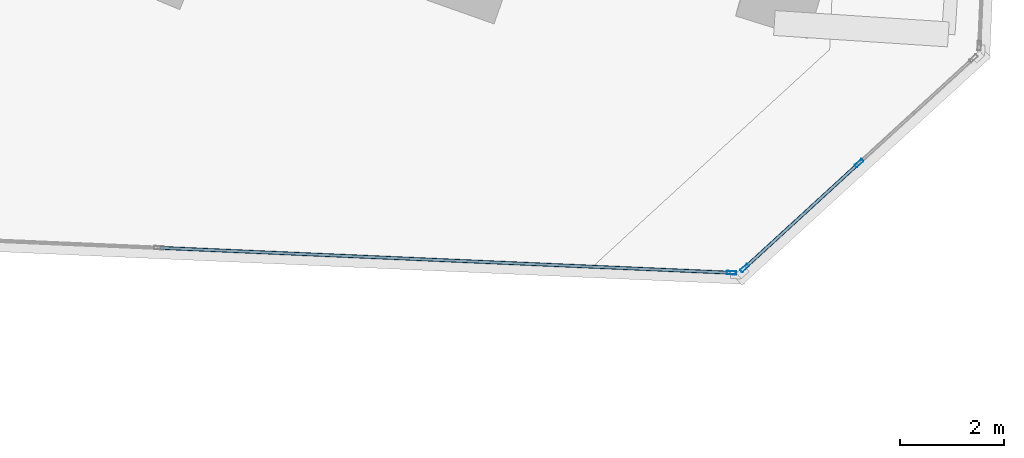
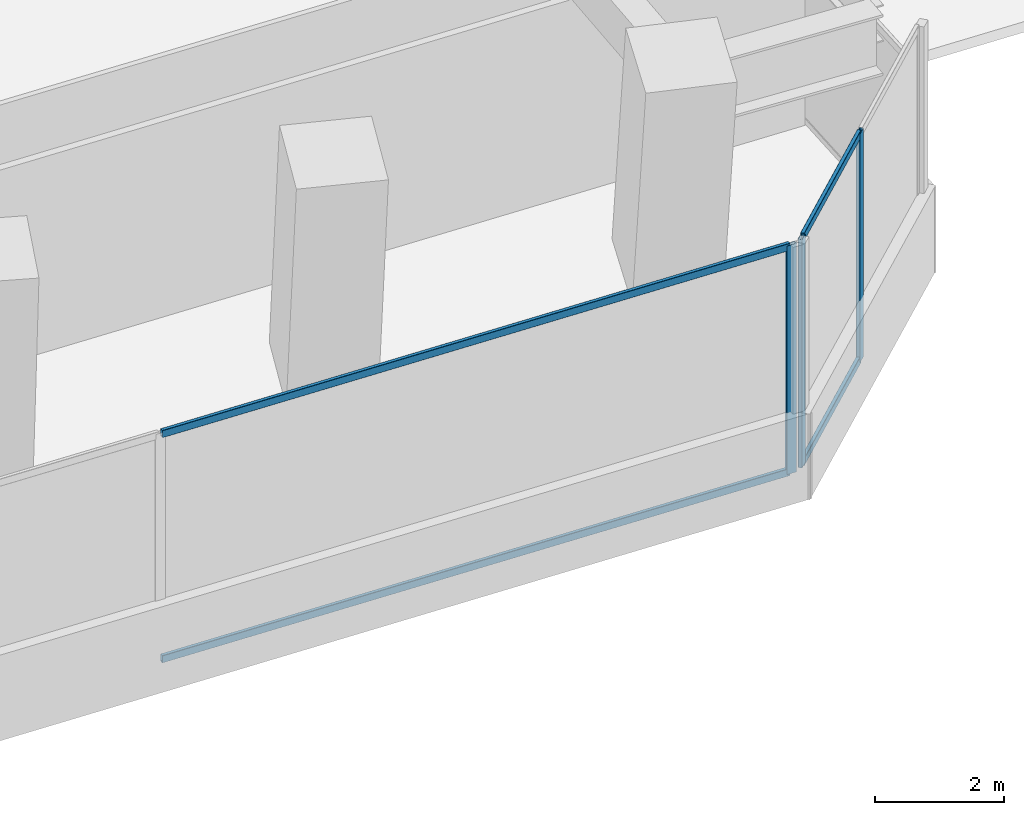
# One storey, part 10 of 27: 7 members, 2 elements without a shape of their own.
"""IFC4 building model written with IfcOpenShell, lengths in metres."""

from ifc_helpers import new_model, si_unit, direction, frame, origin, origin_2d, place, context, subcontext, project, spatial, hollow_rectangle, extrude, source, transform, mapped, material, material_profile, profile_set, type_object, element, aggregate, save


model = new_model("IFC4")

# Units and contexts
model_context = context("Model", 3, precision=1e-05, world=origin(), true_north=direction((0.0, 1.0)))
body_context = subcontext(model_context, "Body", "Model", "MODEL_VIEW")
ifc_project = project(units=[si_unit("LENGTHUNIT", "METRE"), si_unit("AREAUNIT", "SQUARE_METRE"), si_unit("VOLUMEUNIT", "CUBIC_METRE"), si_unit("PLANEANGLEUNIT", "RADIAN"), si_unit("MASSUNIT", "GRAM", prefix="KILO")], contexts=[model_context])

# Site, building, storey
site_placement = place(None, origin())
site = spatial("IfcSite", under=ifc_project, at=site_placement, CompositionType="ELEMENT")
building_placement = place(site_placement, origin())
building = spatial("IfcBuilding", under=site, at=building_placement, Name="Torre Montelarca", CompositionType="ELEMENT")
storey_placement = place(building_placement, frame((0.0, 0.0, 37.60009765625)))
storey = spatial("IfcBuildingStorey", under=building, at=storey_placement, Name="L08", CompositionType="ELEMENT", Elevation=37.60009765625)

# Curtain wall, members
ifc_material_1 = material(Name="Insulated low-E laminated glass", Category="glass")
curtain_wall_type = type_object("IfcCurtainWallType", Name="CW-SYS-Z1", PredefinedType="USERDEFINED", material=ifc_material_1)
curtain_wall_1_placement = place(storey_placement, origin())
curtain_wall_1 = element("IfcCurtainWall", 1, at=curtain_wall_1_placement, inside=storey, type_object=curtain_wall_type, Name="L08 Curtain Wall Run CW-T3-L08-E04-B1", ObjectType="UNITISED GLAZING", PredefinedType="USERDEFINED")
ifc_material_2 = material(Name="Anodised aluminium AA 6063-T6", Category="aluminium")
ifc_material_profile_1 = material_profile(ifc_material_2, hollow_rectangle(XDim=0.06494140625, YDim=0.139892578125, WallThickness=0.00390625, InnerFilletRadius=0.00390625, OuterFilletRadius=0.008056640625, at=origin_2d()), Name="ALU65X140X4", Category="aluminium")
ifc_profile_set_1 = profile_set([ifc_material_profile_1], Name="Anodised aluminium AA 6063-T6")
member_type_1 = type_object("IfcMemberType", Name="CWT-ALU140", PredefinedType="USERDEFINED", material=ifc_profile_set_1)
shared_shape_1 = source(origin(), body_context, "Body", "SweptSolid", [
    extrude(hollow_rectangle(XDim=0.06494140625, YDim=0.139892578125, WallThickness=0.00390625, InnerFilletRadius=0.00390625, OuterFilletRadius=0.008056640625, at=origin_2d()), origin(), (0.0, 0.0, 1.0), 10.94873046875),
])
member_1_placement = place(storey_placement, frame((47.598876953125, 17.177490234375, 0.032470703125), z_axis=(0.99904835881, -0.043616244221, 0.0), x_axis=(0.043616244221, 0.99904835881, 0.0)))
member_1 = element("IfcMember", 2, at=member_1_placement, type_object=member_type_1, Name="CW transom 2.1", ObjectType="TRANSOM", PredefinedType="USERDEFINED", context=body_context, shape_type="MappedRepresentation", body=[
    mapped(shared_shape_1, transform((0.0, 0.0, 0.0), scale=1.0)),
])
member_2_placement = place(storey_placement, frame((47.598876953125, 17.177490234375, 4.287353515625), z_axis=(0.99904835881, -0.043616244221, 0.0), x_axis=(0.043616244221, 0.99904835881, 0.0)))
member_2 = element("IfcMember", 3, at=member_2_placement, type_object=member_type_1, Name="CW transom 2.2", ObjectType="TRANSOM", PredefinedType="USERDEFINED", context=body_context, shape_type="MappedRepresentation", body=[
    mapped(shared_shape_1, transform((0.0, 0.0, 0.0), scale=1.0)),
])

curtain_wall_2_placement = place(storey_placement, origin())
curtain_wall_2 = element("IfcCurtainWall", 4, at=curtain_wall_2_placement, inside=storey, type_object=curtain_wall_type, Name="L08 Curtain Wall Run CW-T3-L08-E05-B1", ObjectType="UNITISED GLAZING", PredefinedType="USERDEFINED")
shared_shape_2 = source(origin(), body_context, "Body", "SweptSolid", [
    extrude(hollow_rectangle(XDim=0.06494140625, YDim=0.139892578125, WallThickness=0.00390625, InnerFilletRadius=0.00390625, OuterFilletRadius=0.008056640625, at=origin_2d()), origin(), (0.0, 0.0, 1.0), 2.9189453125),
])
member_3_placement = place(storey_placement, frame((58.84423828125, 16.811767578125, 0.032470703125), z_axis=(0.737296471561, 0.675569325105, 0.0), x_axis=(-0.675569325105, 0.737296471561, 0.0)))
member_3 = element("IfcMember", 5, at=member_3_placement, type_object=member_type_1, Name="CW transom 1.1", ObjectType="TRANSOM", PredefinedType="USERDEFINED", context=body_context, shape_type="MappedRepresentation", body=[
    mapped(shared_shape_2, transform((0.0, 0.0, 0.0), scale=1.0)),
])
member_4_placement = place(storey_placement, frame((58.84423828125, 16.811767578125, 4.287353515625), z_axis=(0.737296471561, 0.675569325105, 0.0), x_axis=(-0.675569325105, 0.737296471561, 0.0)))
member_4 = element("IfcMember", 6, at=member_4_placement, type_object=member_type_1, Name="CW transom 1.2", ObjectType="TRANSOM", PredefinedType="USERDEFINED", context=body_context, shape_type="MappedRepresentation", body=[
    mapped(shared_shape_2, transform((0.0, 0.0, 0.0), scale=1.0)),
])

# Member
ifc_material_profile_2 = material_profile(ifc_material_2, hollow_rectangle(XDim=0.06494140625, YDim=0.179931640625, WallThickness=0.00390625, InnerFilletRadius=0.00390625, OuterFilletRadius=0.008056640625, at=origin_2d()), Name="ALU65X180X4", Category="aluminium")
ifc_profile_set_2 = profile_set([ifc_material_profile_2], Name="Anodised aluminium AA 6063-T6")
member_type_2 = type_object("IfcMemberType", Name="CWM-ALU180", PredefinedType="MULLION", material=ifc_profile_set_2)
shared_shape_3 = source(origin(), body_context, "Body", "SweptSolid", [
    extrude(hollow_rectangle(XDim=0.06494140625, YDim=0.179931640625, WallThickness=0.00390625, InnerFilletRadius=0.00390625, OuterFilletRadius=0.008056640625, at=origin_2d()), origin(), (0.0, 0.0, 1.0), 4.31982421875),
])
member_5_placement = place(storey_placement, frame((58.569580078125, 16.698486328125, 0.0), z_axis=(0.0, 0.0, 1.0), x_axis=(0.043617352644, 0.999048310418, 0.0)))
member_5 = element("IfcMember", 7, at=member_5_placement, type_object=member_type_2, Name="CW mullion 3", PredefinedType="MULLION", context=body_context, shape_type="MappedRepresentation", body=[
    mapped(shared_shape_3, transform((0.0, 0.0, 0.0), scale=1.0)),
])

aggregate(curtain_wall_1, [member_5, member_1, member_2])

member_6_placement = place(storey_placement, frame((58.8203125, 16.789794921875, 0.0), z_axis=(0.0, 0.0, 1.0), x_axis=(-0.675574480513, 0.737291747736, 0.0)))
member_6 = element("IfcMember", 8, at=member_6_placement, type_object=member_type_2, Name="CW mullion 1", PredefinedType="MULLION", context=body_context, shape_type="MappedRepresentation", body=[
    mapped(shared_shape_3, transform((0.0, 0.0, 0.0), scale=1.0)),
])

member_7_placement = place(storey_placement, frame((61.020263671875, 18.8056640625, 0.0), z_axis=(0.0, 0.0, 1.0), x_axis=(-0.675574480513, 0.737291747736, 0.0)))
member_7 = element("IfcMember", 9, at=member_7_placement, type_object=member_type_2, Name="CW mullion 2", PredefinedType="MULLION", context=body_context, shape_type="MappedRepresentation", body=[
    mapped(shared_shape_3, transform((0.0, 0.0, 0.0), scale=1.0)),
])

aggregate(curtain_wall_2, [member_6, member_7, member_3, member_4])

save(model, "model.ifc")
